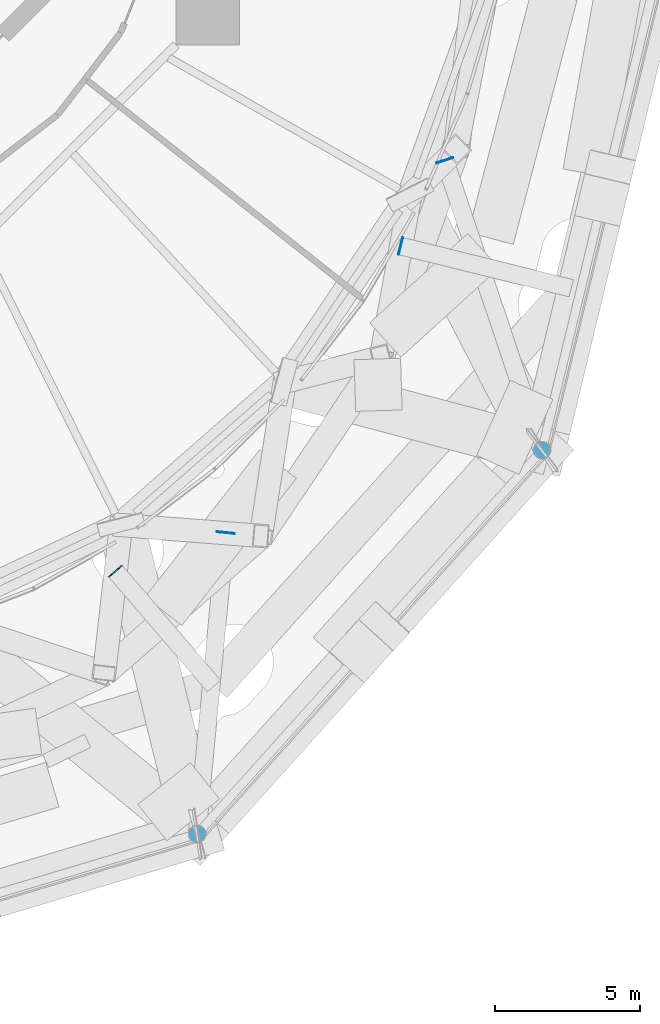
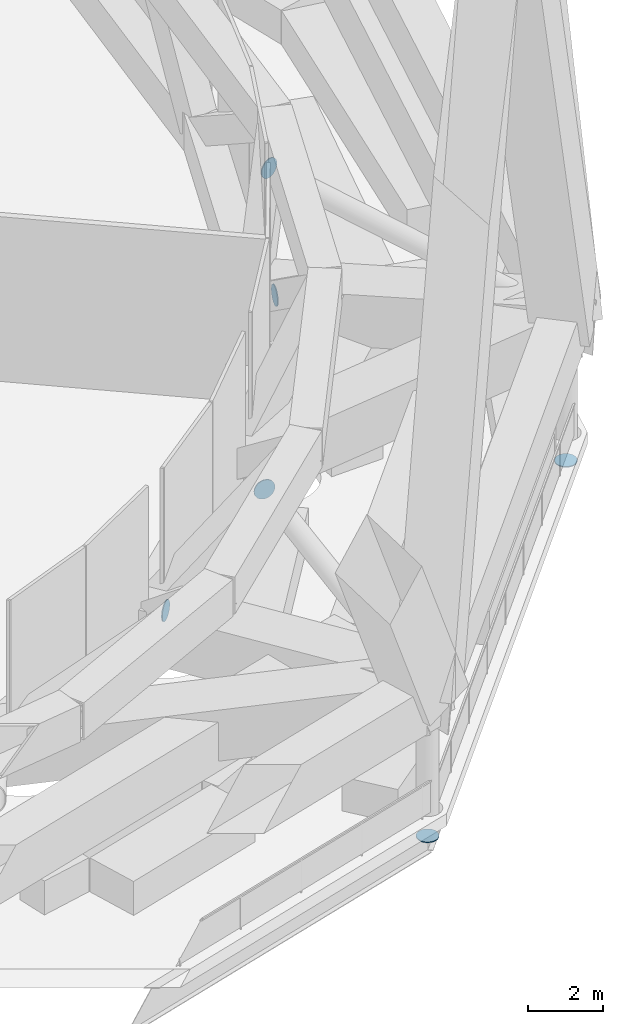
# One storey, part 59 of 65: 6 discrete accessories.
"""IFC4 building model written with IfcOpenShell, lengths in metres."""

from ifc_helpers import new_model, si_unit, direction, frame, origin, origin_2d, place, context, subcontext, project, spatial, circle, extrude, material, layer, layer_set, type_object, element, save


model = new_model("IFC4")

# Units and contexts
model_context = context("Model", 3, precision=1e-05, world=origin(), true_north=direction((0.0, 1.0)))
body_context = subcontext(model_context, "Body", "Model", "MODEL_VIEW")
ifc_project = project(units=[si_unit("LENGTHUNIT", "METRE"), si_unit("AREAUNIT", "SQUARE_METRE"), si_unit("VOLUMEUNIT", "CUBIC_METRE"), si_unit("PLANEANGLEUNIT", "RADIAN"), si_unit("MASSUNIT", "GRAM", prefix="KILO")], contexts=[model_context])

# Site, building, storey
site_placement = place(None, origin())
site = spatial("IfcSite", under=ifc_project, at=site_placement, CompositionType="ELEMENT")
building_placement = place(site_placement, origin())
building = spatial("IfcBuilding", under=site, at=building_placement, Name="Nagisa Residences", CompositionType="ELEMENT")
storey_placement = place(building_placement, frame((0.0, 0.0, 114.0)))
storey = spatial("IfcBuildingStorey", under=building, at=storey_placement, Name="L28", CompositionType="ELEMENT", Elevation=114.0)

# Discrete accessories
ifc_material_1 = material(Name="Steel ASTM A572 Gr 50", Category="steel")
ifc_layer_1 = layer(ifc_material_1, 0.030029296875)
ifc_layer_set_1 = layer_set([ifc_layer_1], Name="End plate")
discrete_accessory_type_1 = type_object("IfcDiscreteAccessoryType", Name="End plate", PredefinedType="ANCHORPLATE", material=ifc_layer_set_1)
for number, where, z_axis, x_axis, name in (
    (1, (14.41748046875, -34.376953125, -0.889892578125), (0.0, 0.0, -1.0), (1.0, 0.0, 0.0), "End plate DH208"),
    (2, (26.28955078125, -21.165283203125, -0.889892578125), (0.0, 0.0, -1.0), (1.0, 0.0, 0.0), "End plate DH209"),
):
    element("IfcDiscreteAccessory", number, at=place(storey_placement, frame(where, z_axis=z_axis, x_axis=x_axis)), inside=storey, type_object=discrete_accessory_type_1, Name=name, PredefinedType="ANCHORPLATE", context=body_context, shape_type="SweptSolid", body=[
        extrude(circle(Radius=0.304931640625, at=origin_2d()), origin(), (0.0, 0.0, 1.0), 0.030029296875),
    ])
ifc_material_2 = material(Name="Steel ASTM A572 Gr 50", Category="steel")
ifc_layer_2 = layer(ifc_material_2, 0.030029296875)
ifc_layer_set_2 = layer_set([ifc_layer_2], Name="Node plate")
discrete_accessory_type_2 = type_object("IfcDiscreteAccessoryType", Name="Node plate", PredefinedType="ANCHORPLATE", material=ifc_layer_set_2)
for number, where, z_axis, x_axis, name in (
    (3, (11.615478515625, -25.341064453125, 1.89990234375), (-0.652132982659, 0.758104592341, 0.0), (-0.758104592341, -0.652132982659, 0.0), "Node plate ST2A11"),
    (4, (21.43603515625, -14.140625, 1.89990234375), (-0.969661287127, 0.244452425326, 0.0), (-0.244452425326, -0.969661287127, 0.0), "Node plate ST2A12"),
    (5, (15.400634765625, -24.021484375, 3.699951171875), (0.097888269922, 0.995197410875, 0.0), (-0.995197410875, 0.097888269922, 0.0), "Node plate ST3B11"),
    (6, (22.94677734375, -11.201904296875, 3.699951171875), (-0.316227766017, 0.948683298051, 0.0), (-0.948683298051, -0.316227766017, 0.0), "Node plate ST3B12"),
):
    element("IfcDiscreteAccessory", number, at=place(storey_placement, frame(where, z_axis=z_axis, x_axis=x_axis)), inside=storey, type_object=discrete_accessory_type_2, Name=name, PredefinedType="ANCHORPLATE", context=body_context, shape_type="SweptSolid", body=[
        extrude(circle(Radius=0.304931640625, at=origin_2d()), origin(), (0.0, 0.0, 1.0), 0.030029296875),
    ])

save(model, "model.ifc")
